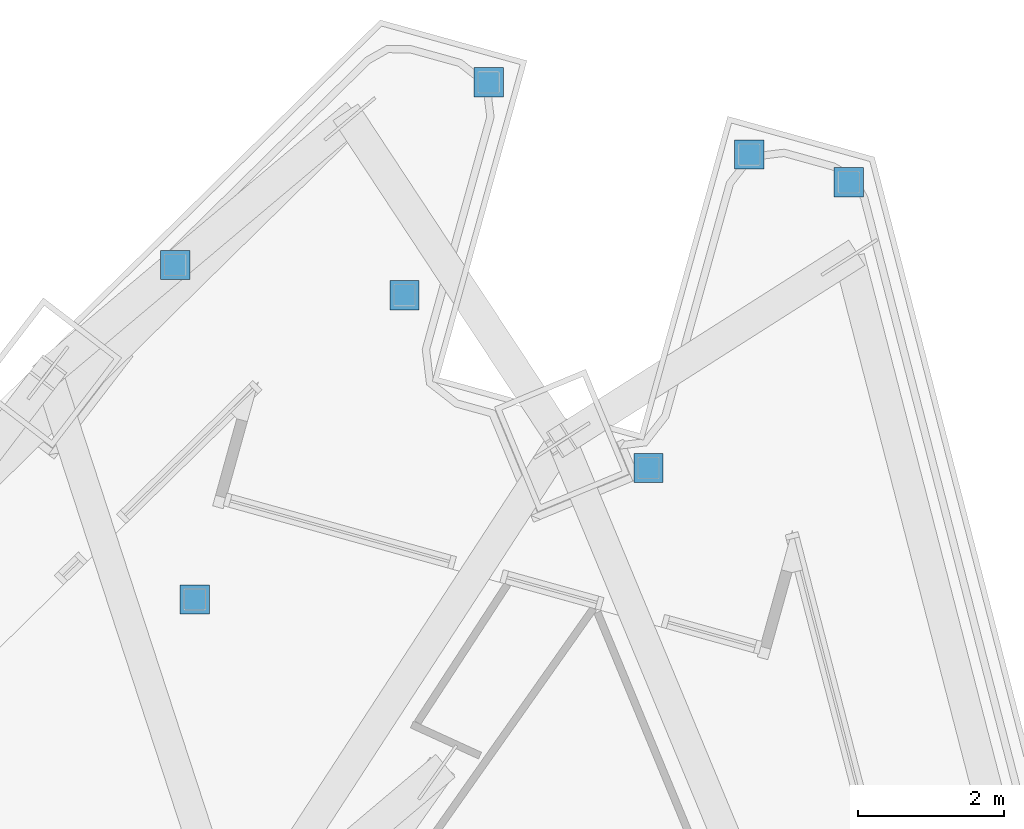
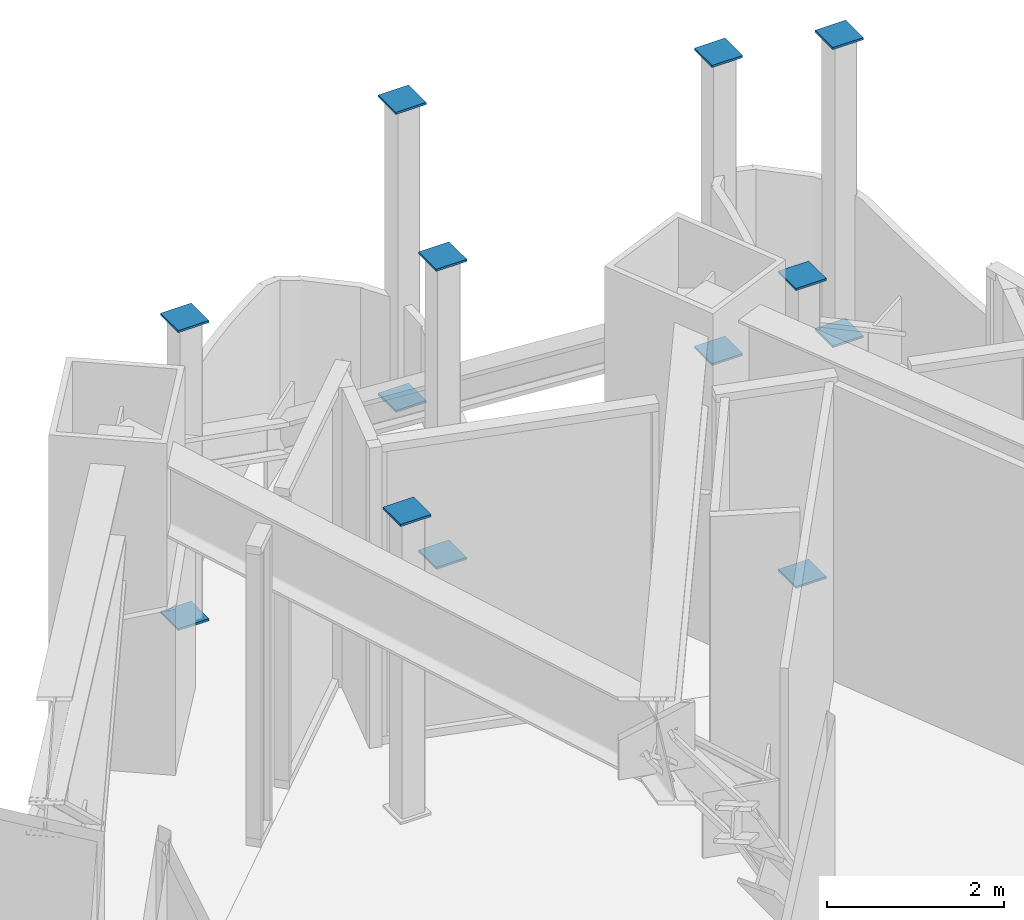
# One storey, part 14 of 22: 13 discrete accessories.
"""IFC4 building model written with IfcOpenShell, lengths in metres."""

from ifc_helpers import new_model, si_unit, direction, frame, origin, origin_2d, place, context, subcontext, project, spatial, rectangle, extrude, material, element, save


model = new_model("IFC4")

# Units and contexts
model_context = context("Model", 3, precision=1e-05, world=origin(), true_north=direction((0.0, 1.0)))
body_context = subcontext(model_context, "Body", "Model", "MODEL_VIEW")
ifc_project = project(units=[si_unit("LENGTHUNIT", "METRE"), si_unit("AREAUNIT", "SQUARE_METRE"), si_unit("VOLUMEUNIT", "CUBIC_METRE"), si_unit("PLANEANGLEUNIT", "RADIAN"), si_unit("MASSUNIT", "GRAM", prefix="KILO")], contexts=[model_context])

# Site, building, storey
site_placement = place(None, origin())
site = spatial("IfcSite", under=ifc_project, at=site_placement, CompositionType="ELEMENT")
building_placement = place(site_placement, origin())
building = spatial("IfcBuilding", under=site, at=building_placement, Name="Trine Commons Tower", CompositionType="ELEMENT")
storey_placement = place(building_placement, frame((0.0, 0.0, 267.300048828125)))
storey = spatial("IfcBuildingStorey", under=building, at=storey_placement, Name="L70", CompositionType="ELEMENT", Elevation=267.300048828125)

# Discrete accessories
ifc_material = material(Name="Structural steel ASTM A572 Gr50", Category="steel")
for number, where, z_axis, x_axis, name in (
    (1, (85.407470703125, 88.921142578125, 0.0), (0.0, 0.0, 1.0), (1.0, 0.0, 0.0), "Post base plate SP7-31"),
    (2, (85.407470703125, 88.921142578125, 4.1201171875), (0.0, 0.0, 1.0), (1.0, 0.0, 0.0), "Post cap plate SP7-31"),
    (3, (81.387451171875, 81.8486328125, 4.1201171875), (0.0, 0.0, 1.0), (1.0, 0.0, 0.0), "Post cap plate SP7-32"),
    (4, (81.1201171875, 86.422607421875, 0.0), (0.0, 0.0, 1.0), (1.0, 0.0, 0.0), "Post base plate SP7-33"),
    (5, (81.1201171875, 86.422607421875, 4.1201171875), (0.0, 0.0, 1.0), (1.0, 0.0, 0.0), "Post cap plate SP7-33"),
    (6, (84.255126953125, 86.010009765625, 0.0), (0.0, 0.0, 1.0), (1.0, 0.0, 0.0), "Post base plate SP7-34"),
    (7, (84.255126953125, 86.010009765625, 4.1201171875), (0.0, 0.0, 1.0), (1.0, 0.0, 0.0), "Post cap plate SP7-34"),
    (8, (88.972900390625, 87.932373046875, 0.0), (0.0, 0.0, 1.0), (1.0, 0.0, 0.0), "Post base plate SP7-52"),
    (9, (88.972900390625, 87.932373046875, 4.1201171875), (0.0, 0.0, 1.0), (1.0, 0.0, 0.0), "Post cap plate SP7-52"),
    (10, (87.593017578125, 83.645263671875, 0.0), (0.0, 0.0, 1.0), (1.0, 0.0, 0.0), "Post base plate SP7-53"),
    (11, (87.593017578125, 83.645263671875, 4.1201171875), (0.0, 0.0, 1.0), (1.0, 0.0, 0.0), "Post cap plate SP7-53"),
    (12, (90.33349609375, 87.55517578125, 0.0), (0.0, 0.0, 1.0), (1.0, 0.0, 0.0), "Post base plate SP7-54"),
    (13, (90.33349609375, 87.55517578125, 4.1201171875), (0.0, 0.0, 1.0), (1.0, 0.0, 0.0), "Post cap plate SP7-54"),
):
    element("IfcDiscreteAccessory", number, at=place(storey_placement, frame(where, z_axis=z_axis, x_axis=x_axis)), inside=storey, material=ifc_material, Name=name, PredefinedType="BRACKET", context=body_context, shape_type="SweptSolid", body=[
        extrude(rectangle(XDim=0.39990234375, YDim=0.39990234375, at=origin_2d()), origin(), (0.0, 0.0, 1.0), 0.030029296875),
    ])

save(model, "model.ifc")
